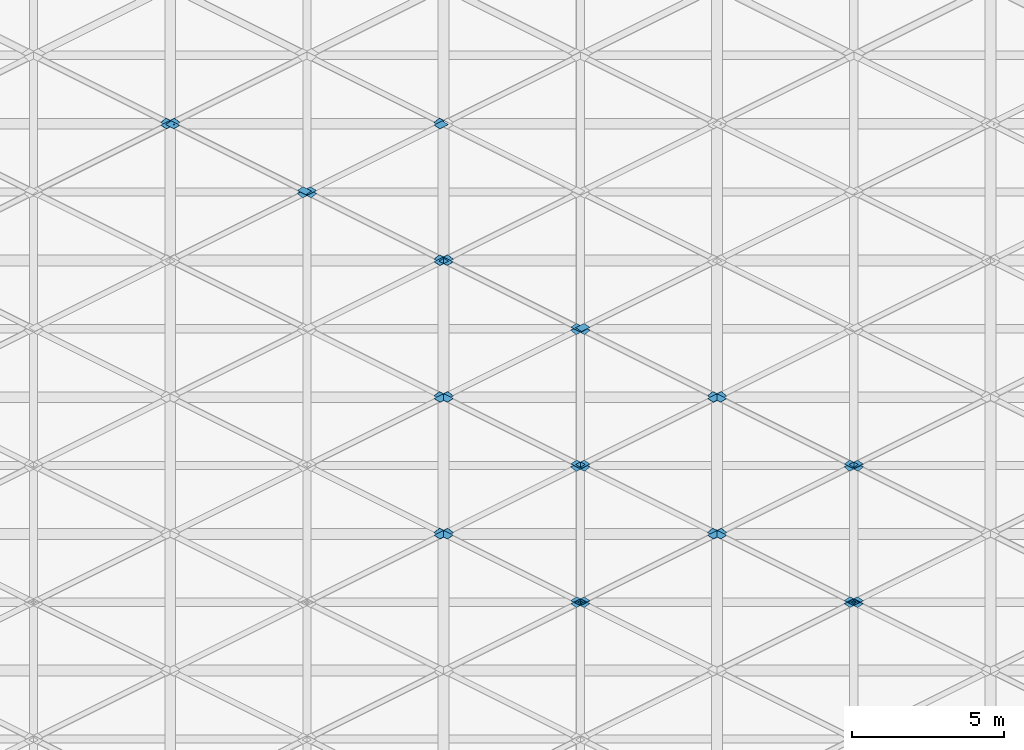
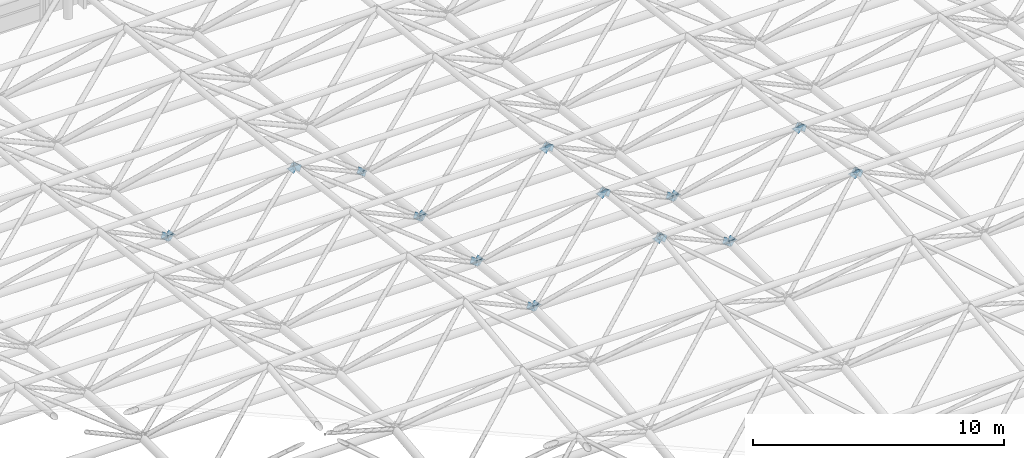
# One storey, part 40 of 53: 50 discrete accessories.
"""IFC4 building model written with IfcOpenShell, lengths in metres."""

from ifc_helpers import new_model, si_unit, direction, frame, origin, place, context, subcontext, project, spatial, polyline, outline, extrude, material, layer, layer_set, type_object, element, save


model = new_model("IFC4")

# Units and contexts
model_context = context("Model", 3, precision=1e-05, world=origin(), true_north=direction((0.0, 1.0)))
body_context = subcontext(model_context, "Body", "Model", "MODEL_VIEW")
ifc_project = project(units=[si_unit("LENGTHUNIT", "METRE"), si_unit("AREAUNIT", "SQUARE_METRE"), si_unit("VOLUMEUNIT", "CUBIC_METRE"), si_unit("PLANEANGLEUNIT", "RADIAN"), si_unit("MASSUNIT", "GRAM", prefix="KILO")], contexts=[model_context])

# Site, building, storey
site_placement = place(None, origin())
site = spatial("IfcSite", under=ifc_project, at=site_placement, CompositionType="ELEMENT")
building_placement = place(site_placement, origin())
building = spatial("IfcBuilding", under=site, at=building_placement, Name="Aravalli Gate Trade Fair Centre", CompositionType="ELEMENT")
storey_placement = place(building_placement, frame((0.0, 0.0, 25.199951171875)))
storey = spatial("IfcBuildingStorey", under=building, at=storey_placement, Name="ROOF LEVEL 2", CompositionType="ELEMENT", Elevation=25.199951171875)

# Discrete accessories
ifc_material = material(Name="Steel E350", Category="steel")
ifc_layer = layer(ifc_material, 0.011962890625)
ifc_layer_set = layer_set([ifc_layer], Name="Steel E350")
discrete_accessory_type = type_object("IfcDiscreteAccessoryType", Name="Gusset plate 291 x 291 x 12", PredefinedType="USERDEFINED", material=ifc_layer_set)
for number, where, z_axis, x_axis, name in (
    (1, (60.121826171875, 77.324462890625, 5.08544921875), (0.000136804439, -0.823750482353, 0.566952488404), (-0.749929392198, 0.374964696099, 0.54498383774), "Gusset plate Space frame web diagonal D3C end A"),
    (2, (69.121826171875, 77.324462890625, 5.08544921875), (0.000136804439, -0.823750482353, 0.566952488404), (-0.749929392198, 0.374964696099, 0.54498383774), "Gusset plate Space frame web diagonal D3C end A"),
):
    element("IfcDiscreteAccessory", number, at=place(storey_placement, frame(where, z_axis=z_axis, x_axis=x_axis)), inside=storey, type_object=discrete_accessory_type, Name=name, ObjectType="GUSSET PLATE", PredefinedType="USERDEFINED", context=body_context, shape_type="SweptSolid", body=[
        extrude(outline(polyline([(0.0, 0.0), (0.37047758647752815, -1.3877787807814457e-17), (0.37050220203048867, -0.2904791260615137), (2.461555296055795e-05, -0.2904791260615137), (0.0, 0.0)])), origin(), (0.0, 0.0, -1.0), 0.011962890625),
    ])
for number, where, z_axis, x_axis, name in (
    (3, (59.68603515625, 77.447998046875, 5.264892578125), (-0.000136804439, -0.823750482353, 0.566952488404), (0.749929392198, 0.374964696099, 0.54498383774), "Gusset plate Space frame web diagonal D3D end A"),
    (4, (68.68603515625, 77.447998046875, 5.264892578125), (-0.000136804439, -0.823750482353, 0.566952488404), (0.749929392198, 0.374964696099, 0.54498383774), "Gusset plate Space frame web diagonal D3D end A"),
    (5, (55.18603515625, 79.707763671875, 2.132080078125), (0.000136804439, 0.823750482353, 0.566952488404), (0.749929392198, 0.374964696099, -0.54498383774), "Gusset plate Space frame web diagonal D4A end B"),
):
    element("IfcDiscreteAccessory", number, at=place(storey_placement, frame(where, z_axis=z_axis, x_axis=x_axis)), inside=storey, type_object=discrete_accessory_type, Name=name, ObjectType="GUSSET PLATE", PredefinedType="USERDEFINED", context=body_context, shape_type="SweptSolid", body=[
        extrude(outline(polyline([(0.0, 0.0), (0.37047758647752815, 1.3877787807814457e-17), (0.37045297092456764, -0.2904791260615137), (-2.461555296055795e-05, -0.2904791260615137), (0.0, 0.0)])), origin(), (0.0, 0.0, -1.0), 0.011962890625),
    ])
discrete_accessory_1_placement = place(storey_placement, frame((60.121826171875, 77.675537109375, 5.08544921875), z_axis=(0.000136804439, 0.823750482353, 0.566952488404), x_axis=(-0.749929392198, -0.374964696099, 0.54498383774)))
element("IfcDiscreteAccessory", 6, at=discrete_accessory_1_placement, inside=storey, type_object=discrete_accessory_type, Name="Gusset plate Space frame web diagonal D4A end A", ObjectType="GUSSET PLATE", PredefinedType="USERDEFINED", context=body_context, shape_type="SweptSolid", body=[
    extrude(outline(polyline([(0.0, 0.0), (0.37047758647752815, 1.3877787807814457e-17), (0.37050220203048867, 0.2904791260615137), (2.461555296055795e-05, 0.2904791260615137), (0.0, 0.0)])), origin(), (0.0, 0.0, -1.0), 0.011962890625),
])
discrete_accessory_2_placement = place(storey_placement, frame((64.18603515625, 79.707763671875, 2.132080078125), z_axis=(0.000136804439, 0.823750482353, 0.566952488404), x_axis=(0.749929392198, 0.374964696099, -0.54498383774)))
element("IfcDiscreteAccessory", 7, at=discrete_accessory_2_placement, inside=storey, type_object=discrete_accessory_type, Name="Gusset plate Space frame web diagonal D4A end B", ObjectType="GUSSET PLATE", PredefinedType="USERDEFINED", context=body_context, shape_type="SweptSolid", body=[
    extrude(outline(polyline([(0.0, 0.0), (0.37047758647752815, 1.3877787807814457e-17), (0.37045297092456764, -0.2904791260615137), (-2.461555296055795e-05, -0.2904791260615137), (0.0, 0.0)])), origin(), (0.0, 0.0, -1.0), 0.011962890625),
])
discrete_accessory_3_placement = place(storey_placement, frame((69.121826171875, 77.675537109375, 5.08544921875), z_axis=(0.000136804439, 0.823750482353, 0.566952488404), x_axis=(-0.749929392198, -0.374964696099, 0.54498383774)))
element("IfcDiscreteAccessory", 8, at=discrete_accessory_3_placement, inside=storey, type_object=discrete_accessory_type, Name="Gusset plate Space frame web diagonal D4A end A", ObjectType="GUSSET PLATE", PredefinedType="USERDEFINED", context=body_context, shape_type="SweptSolid", body=[
    extrude(outline(polyline([(0.0, 0.0), (0.37047758647752815, 1.3877787807814457e-17), (0.37050220203048867, 0.2904791260615137), (2.461555296055795e-05, 0.2904791260615137), (0.0, 0.0)])), origin(), (0.0, 0.0, -1.0), 0.011962890625),
])
discrete_accessory_4_placement = place(storey_placement, frame((55.18603515625, 84.207763671875, 1.592041015625), z_axis=(0.000136804439, 0.823750482353, 0.566952488404), x_axis=(0.749929392198, 0.374964696099, -0.54498383774)))
element("IfcDiscreteAccessory", 9, at=discrete_accessory_4_placement, inside=storey, type_object=discrete_accessory_type, Name="Gusset plate Space frame web diagonal D4A end B", ObjectType="GUSSET PLATE", PredefinedType="USERDEFINED", context=body_context, shape_type="SweptSolid", body=[
    extrude(outline(polyline([(0.0, 0.0), (0.37047758647752815, 1.3877787807814457e-17), (0.37045297092456764, -0.2904791260615137), (-2.461555296055795e-05, -0.2904791260615137), (0.0, 0.0)])), origin(), (0.0, 0.0, -1.0), 0.011962890625),
])
discrete_accessory_5_placement = place(storey_placement, frame((60.121826171875, 82.175537109375, 4.54541015625), z_axis=(0.000136804439, 0.823750482353, 0.566952488404), x_axis=(-0.749929392198, -0.374964696099, 0.54498383774)))
element("IfcDiscreteAccessory", 10, at=discrete_accessory_5_placement, inside=storey, type_object=discrete_accessory_type, Name="Gusset plate Space frame web diagonal D4A end A", ObjectType="GUSSET PLATE", PredefinedType="USERDEFINED", context=body_context, shape_type="SweptSolid", body=[
    extrude(outline(polyline([(0.0, 0.0), (0.37047758647752815, 1.3877787807814457e-17), (0.37050220203048867, 0.2904791260615137), (2.461555296055795e-05, 0.2904791260615137), (0.0, 0.0)])), origin(), (0.0, 0.0, -1.0), 0.011962890625),
])
discrete_accessory_6_placement = place(storey_placement, frame((64.18603515625, 84.207763671875, 1.592041015625), z_axis=(0.000136804439, 0.823750482353, 0.566952488404), x_axis=(0.749929392198, 0.374964696099, -0.54498383774)))
element("IfcDiscreteAccessory", 11, at=discrete_accessory_6_placement, inside=storey, type_object=discrete_accessory_type, Name="Gusset plate Space frame web diagonal D4A end B", ObjectType="GUSSET PLATE", PredefinedType="USERDEFINED", context=body_context, shape_type="SweptSolid", body=[
    extrude(outline(polyline([(0.0, 0.0), (0.37047758647752815, 1.3877787807814457e-17), (0.37045297092456764, -0.2904791260615137), (-2.461555296055795e-05, -0.2904791260615137), (0.0, 0.0)])), origin(), (0.0, 0.0, -1.0), 0.011962890625),
])
discrete_accessory_7_placement = place(storey_placement, frame((69.121826171875, 82.175537109375, 4.54541015625), z_axis=(0.000136804439, 0.823750482353, 0.566952488404), x_axis=(-0.749929392198, -0.374964696099, 0.54498383774)))
element("IfcDiscreteAccessory", 12, at=discrete_accessory_7_placement, inside=storey, type_object=discrete_accessory_type, Name="Gusset plate Space frame web diagonal D4A end A", ObjectType="GUSSET PLATE", PredefinedType="USERDEFINED", context=body_context, shape_type="SweptSolid", body=[
    extrude(outline(polyline([(0.0, 0.0), (0.37047758647752815, 1.3877787807814457e-17), (0.37050220203048867, 0.2904791260615137), (2.461555296055795e-05, 0.2904791260615137), (0.0, 0.0)])), origin(), (0.0, 0.0, -1.0), 0.011962890625),
])
discrete_accessory_8_placement = place(storey_placement, frame((59.68603515625, 77.552001953125, 5.264892578125), z_axis=(-0.000136804439, 0.823750482353, 0.566952488404), x_axis=(0.749929392198, -0.374964696099, 0.54498383774)))
element("IfcDiscreteAccessory", 13, at=discrete_accessory_8_placement, inside=storey, type_object=discrete_accessory_type, Name="Gusset plate Space frame web diagonal D4B end A", ObjectType="GUSSET PLATE", PredefinedType="USERDEFINED", context=body_context, shape_type="SweptSolid", body=[
    extrude(outline(polyline([(0.0, 0.0), (0.37047758647752815, -1.3877787807814457e-17), (0.37045297092456764, 0.2904791260615137), (-2.461555296055795e-05, 0.2904791260615137), (0.0, 0.0)])), origin(), (0.0, 0.0, -1.0), 0.011962890625),
])
discrete_accessory_9_placement = place(storey_placement, frame((55.621826171875, 79.584228515625, 2.3115234375), z_axis=(-0.000136804439, 0.823750482353, 0.566952488404), x_axis=(-0.749929392198, 0.374964696099, -0.54498383774)))
element("IfcDiscreteAccessory", 14, at=discrete_accessory_9_placement, inside=storey, type_object=discrete_accessory_type, Name="Gusset plate Space frame web diagonal D4B end B", ObjectType="GUSSET PLATE", PredefinedType="USERDEFINED", context=body_context, shape_type="SweptSolid", body=[
    extrude(outline(polyline([(0.0, 0.0), (0.37047758647752815, -1.3877787807814457e-17), (0.37050220203048867, -0.2904791260615137), (2.461555296055795e-05, -0.2904791260615137), (0.0, 0.0)])), origin(), (0.0, 0.0, -1.0), 0.011962890625),
])
discrete_accessory_10_placement = place(storey_placement, frame((68.68603515625, 77.552001953125, 5.264892578125), z_axis=(-0.000136804439, 0.823750482353, 0.566952488404), x_axis=(0.749929392198, -0.374964696099, 0.54498383774)))
element("IfcDiscreteAccessory", 15, at=discrete_accessory_10_placement, inside=storey, type_object=discrete_accessory_type, Name="Gusset plate Space frame web diagonal D4B end A", ObjectType="GUSSET PLATE", PredefinedType="USERDEFINED", context=body_context, shape_type="SweptSolid", body=[
    extrude(outline(polyline([(0.0, 0.0), (0.37047758647752815, -1.3877787807814457e-17), (0.37045297092456764, 0.2904791260615137), (-2.461555296055795e-05, 0.2904791260615137), (0.0, 0.0)])), origin(), (0.0, 0.0, -1.0), 0.011962890625),
])
discrete_accessory_11_placement = place(storey_placement, frame((64.621826171875, 79.584228515625, 2.3115234375), z_axis=(-0.000136804439, 0.823750482353, 0.566952488404), x_axis=(-0.749929392198, 0.374964696099, -0.54498383774)))
element("IfcDiscreteAccessory", 16, at=discrete_accessory_11_placement, inside=storey, type_object=discrete_accessory_type, Name="Gusset plate Space frame web diagonal D4B end B", ObjectType="GUSSET PLATE", PredefinedType="USERDEFINED", context=body_context, shape_type="SweptSolid", body=[
    extrude(outline(polyline([(0.0, 0.0), (0.37047758647752815, -1.3877787807814457e-17), (0.37050220203048867, -0.2904791260615137), (2.461555296055795e-05, -0.2904791260615137), (0.0, 0.0)])), origin(), (0.0, 0.0, -1.0), 0.011962890625),
])
discrete_accessory_12_placement = place(storey_placement, frame((59.68603515625, 82.052001953125, 4.724853515625), z_axis=(-0.000136804439, 0.823750482353, 0.566952488404), x_axis=(0.749929392198, -0.374964696099, 0.54498383774)))
element("IfcDiscreteAccessory", 17, at=discrete_accessory_12_placement, inside=storey, type_object=discrete_accessory_type, Name="Gusset plate Space frame web diagonal D4B end A", ObjectType="GUSSET PLATE", PredefinedType="USERDEFINED", context=body_context, shape_type="SweptSolid", body=[
    extrude(outline(polyline([(0.0, 0.0), (0.37047758647752815, -1.3877787807814457e-17), (0.37045297092456764, 0.2904791260615137), (-2.461555296055795e-05, 0.2904791260615137), (0.0, 0.0)])), origin(), (0.0, 0.0, -1.0), 0.011962890625),
])
discrete_accessory_13_placement = place(storey_placement, frame((55.621826171875, 84.084228515625, 1.771484375), z_axis=(-0.000136804439, 0.823750482353, 0.566952488404), x_axis=(-0.749929392198, 0.374964696099, -0.54498383774)))
element("IfcDiscreteAccessory", 18, at=discrete_accessory_13_placement, inside=storey, type_object=discrete_accessory_type, Name="Gusset plate Space frame web diagonal D4B end B", ObjectType="GUSSET PLATE", PredefinedType="USERDEFINED", context=body_context, shape_type="SweptSolid", body=[
    extrude(outline(polyline([(0.0, 0.0), (0.37047758647752815, -1.3877787807814457e-17), (0.37050220203048867, -0.2904791260615137), (2.461555296055795e-05, -0.2904791260615137), (0.0, 0.0)])), origin(), (0.0, 0.0, -1.0), 0.011962890625),
])
discrete_accessory_14_placement = place(storey_placement, frame((68.68603515625, 82.052001953125, 4.724853515625), z_axis=(-0.000136804439, 0.823750482353, 0.566952488404), x_axis=(0.749929392198, -0.374964696099, 0.54498383774)))
element("IfcDiscreteAccessory", 19, at=discrete_accessory_14_placement, inside=storey, type_object=discrete_accessory_type, Name="Gusset plate Space frame web diagonal D4B end A", ObjectType="GUSSET PLATE", PredefinedType="USERDEFINED", context=body_context, shape_type="SweptSolid", body=[
    extrude(outline(polyline([(0.0, 0.0), (0.37047758647752815, -1.3877787807814457e-17), (0.37045297092456764, 0.2904791260615137), (-2.461555296055795e-05, 0.2904791260615137), (0.0, 0.0)])), origin(), (0.0, 0.0, -1.0), 0.011962890625),
])
discrete_accessory_15_placement = place(storey_placement, frame((64.621826171875, 84.084228515625, 1.771484375), z_axis=(-0.000136804439, 0.823750482353, 0.566952488404), x_axis=(-0.749929392198, 0.374964696099, -0.54498383774)))
element("IfcDiscreteAccessory", 20, at=discrete_accessory_15_placement, inside=storey, type_object=discrete_accessory_type, Name="Gusset plate Space frame web diagonal D4B end B", ObjectType="GUSSET PLATE", PredefinedType="USERDEFINED", context=body_context, shape_type="SweptSolid", body=[
    extrude(outline(polyline([(0.0, 0.0), (0.37047758647752815, -1.3877787807814457e-17), (0.37050220203048867, -0.2904791260615137), (2.461555296055795e-05, -0.2904791260615137), (0.0, 0.0)])), origin(), (0.0, 0.0, -1.0), 0.011962890625),
])
discrete_accessory_16_placement = place(storey_placement, frame((55.181884765625, 79.786865234375, 2.1142578125), z_axis=(0.000259222443, -0.771843687699, 0.635812279342), x_axis=(0.78618965885, -0.392765328311, -0.477117613586)))
element("IfcDiscreteAccessory", 21, at=discrete_accessory_16_placement, inside=storey, type_object=discrete_accessory_type, Name="Gusset plate Space frame web diagonal D4C end B", ObjectType="GUSSET PLATE", PredefinedType="USERDEFINED", context=body_context, shape_type="SweptSolid", body=[
    extrude(outline(polyline([(0.0, 0.0), (0.3704701052045229, 2.7755575615628914e-17), (0.3703907868210381, 0.2904692667840814), (-7.931838348480824e-05, 0.2904692667840814), (0.0, 0.0)])), origin(), (0.0, 0.0, -1.0), 0.011962890625),
])
discrete_accessory_17_placement = place(storey_placement, frame((60.138671875, 81.80859375, 4.567138671875), z_axis=(0.000259688153, -0.77158167438, 0.636130216483), x_axis=(-0.786189750281, 0.392961505637, 0.476955901148)))
element("IfcDiscreteAccessory", 22, at=discrete_accessory_17_placement, inside=storey, type_object=discrete_accessory_type, Name="Gusset plate Space frame web diagonal D4C end A", ObjectType="GUSSET PLATE", PredefinedType="USERDEFINED", context=body_context, shape_type="SweptSolid", body=[
    extrude(outline(polyline([(0.0, 0.0), (0.37047009323158403, 1.3877787807814457e-17), (0.3706453255393415, -0.29059138113822636), (7.929444017017173e-05, -0.29046925152010133), (0.0, 0.0)])), origin(), (0.0, 0.0, -1.0), 0.011962890625),
])
discrete_accessory_18_placement = place(storey_placement, frame((64.181884765625, 79.786865234375, 2.1142578125), z_axis=(0.000259222443, -0.771843687699, 0.635812279342), x_axis=(0.78618965885, -0.392765328311, -0.477117613586)))
element("IfcDiscreteAccessory", 23, at=discrete_accessory_18_placement, inside=storey, type_object=discrete_accessory_type, Name="Gusset plate Space frame web diagonal D4C end B", ObjectType="GUSSET PLATE", PredefinedType="USERDEFINED", context=body_context, shape_type="SweptSolid", body=[
    extrude(outline(polyline([(0.0, 0.0), (0.3704701052045229, 2.7755575615628914e-17), (0.3703907868210381, 0.2904692667840814), (-7.931838348480824e-05, 0.2904692667840814), (0.0, 0.0)])), origin(), (0.0, 0.0, -1.0), 0.011962890625),
])
discrete_accessory_19_placement = place(storey_placement, frame((69.138671875, 81.80859375, 4.567138671875), z_axis=(0.000259688153, -0.77158167438, 0.636130216483), x_axis=(-0.786189750281, 0.392961505637, 0.476955901148)))
element("IfcDiscreteAccessory", 24, at=discrete_accessory_19_placement, inside=storey, type_object=discrete_accessory_type, Name="Gusset plate Space frame web diagonal D4C end A", ObjectType="GUSSET PLATE", PredefinedType="USERDEFINED", context=body_context, shape_type="SweptSolid", body=[
    extrude(outline(polyline([(0.0, 0.0), (0.37047009323158403, 1.3877787807814457e-17), (0.3706453255393415, -0.29059138113822636), (7.929444017017173e-05, -0.29046925152010133), (0.0, 0.0)])), origin(), (0.0, 0.0, -1.0), 0.011962890625),
])
discrete_accessory_20_placement = place(storey_placement, frame((55.181884765625, 84.286865234375, 1.574462890625), z_axis=(0.000589123978, -0.771792295466, 0.635874441689), x_axis=(0.785942550469, -0.392803472142, -0.477493182816)))
element("IfcDiscreteAccessory", 25, at=discrete_accessory_20_placement, inside=storey, type_object=discrete_accessory_type, Name="Gusset plate Space frame web diagonal D4C end B", ObjectType="GUSSET PLATE", PredefinedType="USERDEFINED", context=body_context, shape_type="SweptSolid", body=[
    extrude(outline(polyline([(0.0, 0.0), (0.3705866429803553, 2.7755575615628914e-17), (0.37039124031354775, 0.29046920151748473), (-7.882718272163303e-05, 0.29032116611826925), (0.0, 0.0)])), origin(), (0.0, 0.0, -1.0), 0.011962890625),
])
discrete_accessory_21_placement = place(storey_placement, frame((60.138671875, 86.30859375, 4.027099609375), z_axis=(0.000259688153, -0.77158167438, 0.636130216483), x_axis=(-0.786189750281, 0.392961505637, 0.476955901148)))
element("IfcDiscreteAccessory", 26, at=discrete_accessory_21_placement, inside=storey, type_object=discrete_accessory_type, Name="Gusset plate Space frame web diagonal D4C end A", ObjectType="GUSSET PLATE", PredefinedType="USERDEFINED", context=body_context, shape_type="SweptSolid", body=[
    extrude(outline(polyline([(0.0, 0.0), (0.37047009323158403, 1.3877787807814457e-17), (0.3706453255393415, -0.29059138113822636), (7.929444017017173e-05, -0.29046925152010133), (0.0, 0.0)])), origin(), (0.0, 0.0, -1.0), 0.011962890625),
])
discrete_accessory_22_placement = place(storey_placement, frame((64.181884765625, 84.286865234375, 1.574462890625), z_axis=(0.000589123978, -0.771792295466, 0.635874441689), x_axis=(0.785942550469, -0.392803472142, -0.477493182816)))
element("IfcDiscreteAccessory", 27, at=discrete_accessory_22_placement, inside=storey, type_object=discrete_accessory_type, Name="Gusset plate Space frame web diagonal D4C end B", ObjectType="GUSSET PLATE", PredefinedType="USERDEFINED", context=body_context, shape_type="SweptSolid", body=[
    extrude(outline(polyline([(0.0, 0.0), (0.3705866429803553, 2.7755575615628914e-17), (0.37039124031354775, 0.29046920151748473), (-7.882718272163303e-05, 0.29032116611826925), (0.0, 0.0)])), origin(), (0.0, 0.0, -1.0), 0.011962890625),
])
discrete_accessory_23_placement = place(storey_placement, frame((59.681884765625, 81.953857421875, 4.743408203125), z_axis=(-0.000259688153, -0.77158167438, 0.636130216483), x_axis=(0.785986034617, 0.393126352276, 0.477155765483)))
element("IfcDiscreteAccessory", 28, at=discrete_accessory_23_placement, inside=storey, type_object=discrete_accessory_type, Name="Gusset plate Space frame web diagonal D4D end A", ObjectType="GUSSET PLATE", PredefinedType="USERDEFINED", context=body_context, shape_type="SweptSolid", body=[
    extrude(outline(polyline([(0.0, 0.0), (0.3705660512246577, -1.3877787807814457e-17), (0.3702950470274762, -0.2905913076038385), (-0.0001750260838329909, -0.2904692096111498), (0.0, 0.0)])), origin(), (0.0, 0.0, -1.0), 0.011962890625),
])
discrete_accessory_24_placement = place(storey_placement, frame((55.638671875, 79.93212890625, 2.29052734375), z_axis=(-0.000259222443, -0.771843687699, 0.635812279342), x_axis=(-0.78618965885, -0.392765328311, -0.477117613586)))
element("IfcDiscreteAccessory", 29, at=discrete_accessory_24_placement, inside=storey, type_object=discrete_accessory_type, Name="Gusset plate Space frame web diagonal D4D end B", ObjectType="GUSSET PLATE", PredefinedType="USERDEFINED", context=body_context, shape_type="SweptSolid", body=[
    extrude(outline(polyline([(0.0, 0.0), (0.3704701052045229, -2.7755575615628914e-17), (0.3705494235880077, 0.29046926678408136), (7.931838348480824e-05, 0.2904692667840814), (0.0, 0.0)])), origin(), (0.0, 0.0, -1.0), 0.011962890625),
])
discrete_accessory_25_placement = place(storey_placement, frame((68.681884765625, 81.953857421875, 4.743408203125), z_axis=(-0.000259688153, -0.77158167438, 0.636130216483), x_axis=(0.785986034617, 0.393126352276, 0.477155765483)))
element("IfcDiscreteAccessory", 30, at=discrete_accessory_25_placement, inside=storey, type_object=discrete_accessory_type, Name="Gusset plate Space frame web diagonal D4D end A", ObjectType="GUSSET PLATE", PredefinedType="USERDEFINED", context=body_context, shape_type="SweptSolid", body=[
    extrude(outline(polyline([(0.0, 0.0), (0.3705660512246577, -1.3877787807814457e-17), (0.3702950470274762, -0.2905913076038385), (-0.0001750260838329909, -0.2904692096111498), (0.0, 0.0)])), origin(), (0.0, 0.0, -1.0), 0.011962890625),
])
discrete_accessory_26_placement = place(storey_placement, frame((64.638671875, 79.93212890625, 2.29052734375), z_axis=(-0.000259222443, -0.771843687699, 0.635812279342), x_axis=(-0.78618965885, -0.392765328311, -0.477117613586)))
element("IfcDiscreteAccessory", 31, at=discrete_accessory_26_placement, inside=storey, type_object=discrete_accessory_type, Name="Gusset plate Space frame web diagonal D4D end B", ObjectType="GUSSET PLATE", PredefinedType="USERDEFINED", context=body_context, shape_type="SweptSolid", body=[
    extrude(outline(polyline([(0.0, 0.0), (0.3704701052045229, -2.7755575615628914e-17), (0.3705494235880077, 0.29046926678408136), (7.931838348480824e-05, 0.2904692667840814), (0.0, 0.0)])), origin(), (0.0, 0.0, -1.0), 0.011962890625),
])
discrete_accessory_27_placement = place(storey_placement, frame((59.681884765625, 86.453857421875, 4.203369140625), z_axis=(-0.000259688153, -0.77158167438, 0.636130216483), x_axis=(0.785986034617, 0.393126352276, 0.477155765483)))
element("IfcDiscreteAccessory", 32, at=discrete_accessory_27_placement, inside=storey, type_object=discrete_accessory_type, Name="Gusset plate Space frame web diagonal D4D end A", ObjectType="GUSSET PLATE", PredefinedType="USERDEFINED", context=body_context, shape_type="SweptSolid", body=[
    extrude(outline(polyline([(0.0, 0.0), (0.3705660512246577, -1.3877787807814457e-17), (0.3702950470274762, -0.2905913076038385), (-0.0001750260838329909, -0.2904692096111498), (0.0, 0.0)])), origin(), (0.0, 0.0, -1.0), 0.011962890625),
])
for number, where, z_axis, x_axis, name in (
    (33, (55.638671875, 84.43212890625, 1.75048828125), (-0.000589123978, -0.771792295466, 0.635874441689), (-0.786189552673, -0.392603629975, -0.477250853324), "Gusset plate Space frame web diagonal D4D end B"),
    (34, (64.638671875, 84.43212890625, 1.75048828125), (-0.000589123978, -0.771792295466, 0.635874441689), (-0.786189552673, -0.392603629975, -0.477250853324), "Gusset plate Space frame web diagonal D4D end B"),
):
    element("IfcDiscreteAccessory", number, at=place(storey_placement, frame(where, z_axis=z_axis, x_axis=x_axis)), inside=storey, type_object=discrete_accessory_type, Name=name, ObjectType="GUSSET PLATE", PredefinedType="USERDEFINED", context=body_context, shape_type="SweptSolid", body=[
        extrude(outline(polyline([(0.0, 0.0), (0.3704700970728539, -1.3877787807814457e-17), (0.37054943172141785, 0.29046925640835186), (-3.7181673048419794e-05, 0.2903211744387922), (0.0, 0.0)])), origin(), (0.0, 0.0, -1.0), 0.011962890625),
    ])
discrete_accessory_28_placement = place(storey_placement, frame((55.18603515625, 88.707763671875, 1.047119140625), z_axis=(-0.000356491483, 0.824386555112, 0.566027102411), x_axis=(0.749660046124, 0.374830119882, -0.545446786108)))
element("IfcDiscreteAccessory", 35, at=discrete_accessory_28_placement, inside=storey, type_object=discrete_accessory_type, Name="Gusset plate Space frame web diagonal D5A end B", ObjectType="GUSSET PLATE", PredefinedType="USERDEFINED", context=body_context, shape_type="SweptSolid", body=[
    extrude(outline(polyline([(0.0, 0.0), (0.37061069570280314, 0.0), (0.3704262257769532, -0.2905262593825685), (-1.4474536517566916e-06, -0.29068783726431885), (0.0, 0.0)])), origin(), (0.0, 0.0, -1.0), 0.011962890625),
])
discrete_accessory_29_placement = place(storey_placement, frame((60.12158203125, 86.675537109375, 4.005126953125), z_axis=(-5.9235462e-05, 0.824355565608, 0.566072343383), x_axis=(-0.74937131646, -0.374861397834, 0.545821914622)))
element("IfcDiscreteAccessory", 36, at=discrete_accessory_29_placement, inside=storey, type_object=discrete_accessory_type, Name="Gusset plate Space frame web diagonal D5A end A", ObjectType="GUSSET PLATE", PredefinedType="USERDEFINED", context=body_context, shape_type="SweptSolid", body=[
    extrude(outline(polyline([(0.0, 0.0), (0.3704277020236978, 0.0), (0.37073891027907924, 0.290526143046557), (-5.001029550574798e-06, 0.29053697785674903), (0.0, 0.0)])), origin(), (0.0, 0.0, -1.0), 0.011962890625),
])
discrete_accessory_30_placement = place(storey_placement, frame((46.18603515625, 93.207763671875, 0.4970703125), z_axis=(-0.000338926475, 0.824215745649, 0.566275807141), x_axis=(0.749929468437, 0.374811008577, -0.545089442403)))
element("IfcDiscreteAccessory", 37, at=discrete_accessory_30_placement, inside=storey, type_object=discrete_accessory_type, Name="Gusset plate Space frame web diagonal D5A end B", ObjectType="GUSSET PLATE", PredefinedType="USERDEFINED", context=body_context, shape_type="SweptSolid", body=[
    extrude(outline(polyline([(0.0, 0.0), (0.3704775800363668, -1.3877787807814457e-17), (0.37054452148215117, -0.29037536695413646), (0.00011695121776518491, -0.29068780553250784), (0.0, 0.0)])), origin(), (0.0, 0.0, -1.0), 0.011962890625),
])
discrete_accessory_31_placement = place(storey_placement, frame((51.12158203125, 91.175537109375, 3.455078125), z_axis=(-5.9235462e-05, 0.824355565608, 0.566072343383), x_axis=(-0.74910175115, -0.37503400761, 0.546073309694)))
element("IfcDiscreteAccessory", 38, at=discrete_accessory_31_placement, inside=storey, type_object=discrete_accessory_type, Name="Gusset plate Space frame web diagonal D5A end A", ObjectType="GUSSET PLATE", PredefinedType="USERDEFINED", context=body_context, shape_type="SweptSolid", body=[
    extrude(outline(polyline([(0.0, 0.0), (0.37056099002046733, 1.3877787807814457e-17), (0.3708571273038952, 0.29037522366126584), (0.00024656979283793623, 0.29068772448272373), (0.0, 0.0)])), origin(), (0.0, 0.0, -1.0), 0.011962890625),
])
discrete_accessory_32_placement = place(storey_placement, frame((55.18603515625, 93.207763671875, 0.4970703125), z_axis=(-0.000338926475, 0.824215745649, 0.566275807141), x_axis=(0.749929468437, 0.374811008577, -0.545089442403)))
element("IfcDiscreteAccessory", 39, at=discrete_accessory_32_placement, inside=storey, type_object=discrete_accessory_type, Name="Gusset plate Space frame web diagonal D5A end B", ObjectType="GUSSET PLATE", PredefinedType="USERDEFINED", context=body_context, shape_type="SweptSolid", body=[
    extrude(outline(polyline([(0.0, 0.0), (0.3704775800363668, -1.3877787807814457e-17), (0.37054452148215117, -0.29037536695413646), (0.00011695121776518491, -0.29068780553250784), (0.0, 0.0)])), origin(), (0.0, 0.0, -1.0), 0.011962890625),
])
discrete_accessory_33_placement = place(storey_placement, frame((59.68603515625, 86.55224609375, 4.1845703125), z_axis=(5.9235462e-05, 0.824355565608, 0.566072343383), x_axis=(0.749390667151, -0.374849001628, 0.545803860343)))
element("IfcDiscreteAccessory", 40, at=discrete_accessory_33_placement, inside=storey, type_object=discrete_accessory_type, Name="Gusset plate Space frame web diagonal D5B end A", ObjectType="GUSSET PLATE", PredefinedType="USERDEFINED", context=body_context, shape_type="SweptSolid", body=[
    extrude(outline(polyline([(0.0, 0.0), (0.37074391146695085, 0.0), (0.3704411936966931, 0.2905261520174016), (1.3491831181253189e-05, 0.2905369775865267), (0.0, 0.0)])), origin(), (0.0, 0.0, -1.0), 0.011962890625),
])
discrete_accessory_34_placement = place(storey_placement, frame((55.62158203125, 88.58447265625, 1.226806640625), z_axis=(0.000356491483, 0.824386555112, 0.566027102411), x_axis=(-0.749371292409, 0.375015088164, -0.54571636384)))
element("IfcDiscreteAccessory", 41, at=discrete_accessory_34_placement, inside=storey, type_object=discrete_accessory_type, Name="Gusset plate Space frame web diagonal D5B end B", ObjectType="GUSSET PLATE", PredefinedType="USERDEFINED", context=body_context, shape_type="SweptSolid", body=[
    extrude(outline(polyline([(0.0, 0.0), (0.3704277084701571, -1.3877787807814457e-17), (0.3707389038272042, -0.29052615127976134), (0.00012824338136119273, -0.2906878089792164), (0.0, 0.0)])), origin(), (0.0, 0.0, -1.0), 0.011962890625),
])
discrete_accessory_35_placement = place(storey_placement, frame((50.68603515625, 91.05224609375, 3.634765625), z_axis=(5.9235462e-05, 0.824355565608, 0.566072343383), x_axis=(0.749660070237, -0.374676343996, 0.545552395598)))
element("IfcDiscreteAccessory", 42, at=discrete_accessory_35_placement, inside=storey, type_object=discrete_accessory_type, Name="Gusset plate Space frame web diagonal D5B end A", ObjectType="GUSSET PLATE", PredefinedType="USERDEFINED", context=body_context, shape_type="SweptSolid", body=[
    extrude(outline(polyline([(0.0, 0.0), (0.3706106892622231, 1.3877787807814457e-17), (0.3705593979521325, 0.2903753701380719), (-1.4603348369723879e-06, 0.29068782905287593), (0.0, 0.0)])), origin(), (0.0, 0.0, -1.0), 0.011962890625),
])
discrete_accessory_36_placement = place(storey_placement, frame((46.62158203125, 93.08447265625, 0.6767578125), z_axis=(0.000338926475, 0.824215745649, 0.566275807141), x_axis=(-0.74937124219, 0.375168906268, -0.545610697428)))
element("IfcDiscreteAccessory", 43, at=discrete_accessory_36_placement, inside=storey, type_object=discrete_accessory_type, Name="Gusset plate Space frame web diagonal D5B end B", ObjectType="GUSSET PLATE", PredefinedType="USERDEFINED", context=body_context, shape_type="SweptSolid", body=[
    extrude(outline(polyline([(0.0, 0.0), (0.3704277020281311, -2.7755575615628914e-17), (0.37060567875441897, -0.29037532012757467), (0.00012823049953920862, -0.29068780077573153), (0.0, 0.0)])), origin(), (0.0, 0.0, -1.0), 0.011962890625),
])
discrete_accessory_37_placement = place(storey_placement, frame((51.138916015625, 90.808349609375, 3.477294921875), z_axis=(-6.9765199e-05, -0.771154883137, 0.636647580178), x_axis=(-0.786484474244, 0.393242254842, 0.476238071536)))
element("IfcDiscreteAccessory", 44, at=discrete_accessory_37_placement, inside=storey, type_object=discrete_accessory_type, Name="Gusset plate Space frame web diagonal D5C end A", ObjectType="GUSSET PLATE", PredefinedType="USERDEFINED", context=body_context, shape_type="SweptSolid", body=[
    extrude(outline(polyline([(0.0, 0.0), (0.37064165383501635, 1.3877787807814457e-17), (0.3706783195979393, -0.29059144692340316), (0.00022867857401766278, -0.2904406632211646), (0.0, 0.0)])), origin(), (0.0, 0.0, -1.0), 0.011962890625),
])
discrete_accessory_38_placement = place(storey_placement, frame((55.181884765625, 88.786865234375, 1.029052734375), z_axis=(-6.9765199e-05, -0.771154883137, 0.636647580178), x_axis=(0.786233023991, -0.393446013556, -0.476484906794)))
element("IfcDiscreteAccessory", 45, at=discrete_accessory_38_placement, inside=storey, type_object=discrete_accessory_type, Name="Gusset plate Space frame web diagonal D5C end B", ObjectType="GUSSET PLATE", PredefinedType="USERDEFINED", context=body_context, shape_type="SweptSolid", body=[
    extrude(outline(polyline([(0.0, 0.0), (0.37044967171058096, 2.7755575615628914e-17), (0.3702947268495056, 0.290591407927876), (-0.0003468962829482891, 0.29044054608337494), (0.0, 0.0)])), origin(), (0.0, 0.0, -1.0), 0.011962890625),
])
for number, where, z_axis, x_axis, name in (
    (46, (46.181884765625, 93.286865234375, 0.479248046875), (0.000260921892, -0.770886805608, 0.636972106814), (0.786233024012, -0.393446097564, -0.476484837392), "Gusset plate Space frame web diagonal D5C end B"),
    (47, (55.181884765625, 93.286865234375, 0.479248046875), (0.000260921892, -0.770886805608, 0.636972106814), (0.786233024012, -0.393446097564, -0.476484837392), "Gusset plate Space frame web diagonal D5C end B"),
):
    element("IfcDiscreteAccessory", number, at=place(storey_placement, frame(where, z_axis=z_axis, x_axis=x_axis)), inside=storey, type_object=discrete_accessory_type, Name=name, ObjectType="GUSSET PLATE", PredefinedType="USERDEFINED", context=body_context, shape_type="SweptSolid", body=[
        extrude(outline(polyline([(0.0, 0.0), (0.3704496717105797, 1.3877787807814457e-17), (0.37041105616888137, 0.29044341854454775), (-0.00023056696357631745, 0.2902925567125407), (0.0, 0.0)])), origin(), (0.0, 0.0, -1.0), 0.011962890625),
    ])
discrete_accessory_39_placement = place(storey_placement, frame((50.681884765625, 90.953857421875, 3.653564453125), z_axis=(6.9765199e-05, -0.771154883137, 0.636647580178), x_axis=(0.786233023991, 0.393446013556, 0.476484906794)))
element("IfcDiscreteAccessory", 48, at=discrete_accessory_39_placement, inside=storey, type_object=discrete_accessory_type, Name="Gusset plate Space frame web diagonal D5D end A", ObjectType="GUSSET PLATE", PredefinedType="USERDEFINED", context=body_context, shape_type="SweptSolid", body=[
    extrude(outline(polyline([(0.0, 0.0), (0.37044967171058096, -2.7755575615628914e-17), (0.3702947268495056, -0.290591407927876), (-0.0003468962829482891, -0.29044054608337494), (0.0, 0.0)])), origin(), (0.0, 0.0, -1.0), 0.011962890625),
])
discrete_accessory_40_placement = place(storey_placement, frame((55.638916015625, 88.932373046875, 1.205322265625), z_axis=(6.9765199e-05, -0.771154883137, 0.636647580178), x_axis=(-0.786484474244, -0.393242254842, -0.476238071536)))
element("IfcDiscreteAccessory", 49, at=discrete_accessory_40_placement, inside=storey, type_object=discrete_accessory_type, Name="Gusset plate Space frame web diagonal D5D end B", ObjectType="GUSSET PLATE", PredefinedType="USERDEFINED", context=body_context, shape_type="SweptSolid", body=[
    extrude(outline(polyline([(0.0, 0.0), (0.37064165383501635, -1.3877787807814457e-17), (0.3706783195979393, 0.29059144692340316), (0.00022867857401766278, 0.2904406632211646), (0.0, 0.0)])), origin(), (0.0, 0.0, -1.0), 0.011962890625),
])
discrete_accessory_41_placement = place(storey_placement, frame((46.638916015625, 93.432373046875, 0.6552734375), z_axis=(-0.000260921892, -0.770886805608, 0.636972106814), x_axis=(-0.786484474223, -0.393242170877, -0.476238140902)))
element("IfcDiscreteAccessory", 50, at=discrete_accessory_41_placement, inside=storey, type_object=discrete_accessory_type, Name="Gusset plate Space frame web diagonal D5D end B", ObjectType="GUSSET PLATE", PredefinedType="USERDEFINED", context=body_context, shape_type="SweptSolid", body=[
    extrude(outline(polyline([(0.0, 0.0), (0.37064165383501513, -1.3877787807814457e-17), (0.37056205053393565, 0.29044341020294784), (0.00011240951001027788, 0.2902926265131968), (0.0, 0.0)])), origin(), (0.0, 0.0, -1.0), 0.011962890625),
])

save(model, "model.ifc")
